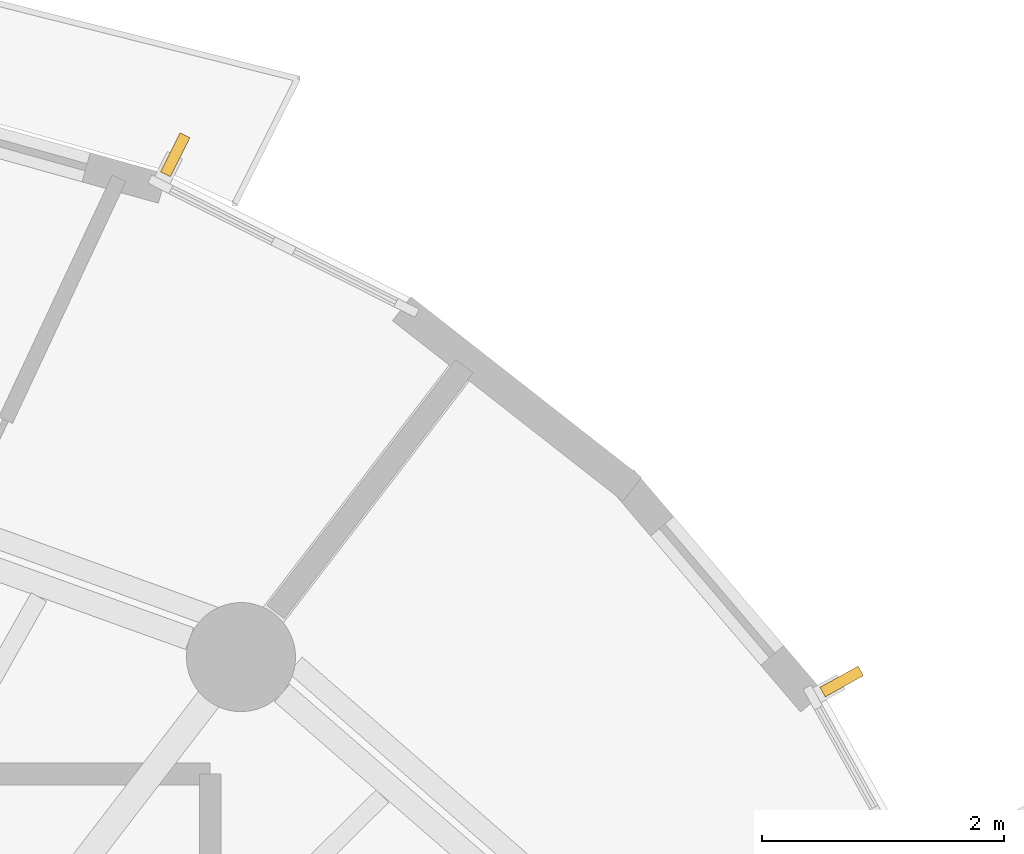
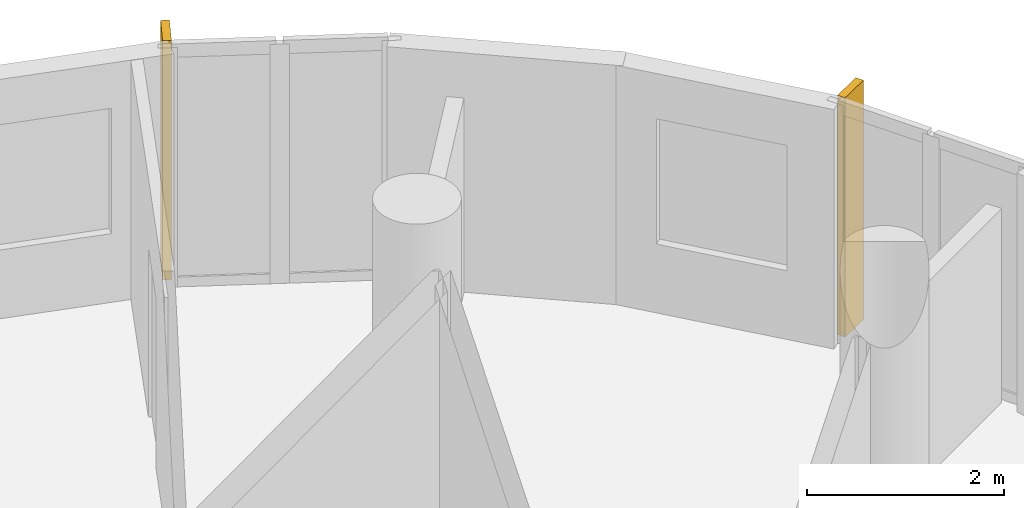
# One storey, part 10 of 10: 2 shading devices.
"""IFC4 building model written with IfcOpenShell, lengths in metres."""

from ifc_helpers import new_model, si_unit, direction, frame, origin, origin_2d, place, context, subcontext, project, spatial, rectangle, extrude, material, layer, layer_set, type_object, element, save


model = new_model("IFC4")

# Units and contexts
model_context = context("Model", 3, precision=1e-05, world=origin(), true_north=direction((0.0, 1.0)))
body_context = subcontext(model_context, "Body", "Model", "MODEL_VIEW")
ifc_project = project(units=[si_unit("LENGTHUNIT", "METRE"), si_unit("AREAUNIT", "SQUARE_METRE"), si_unit("VOLUMEUNIT", "CUBIC_METRE"), si_unit("PLANEANGLEUNIT", "RADIAN"), si_unit("MASSUNIT", "GRAM", prefix="KILO")], contexts=[model_context])

# Site, building, storey
site_placement = place(None, origin())
site = spatial("IfcSite", under=ifc_project, at=site_placement, CompositionType="ELEMENT")
building_placement = place(site_placement, origin())
building = spatial("IfcBuilding", under=site, at=building_placement, Name="Veldorim Arch Residences", CompositionType="ELEMENT")
storey_placement = place(building_placement, frame((0.0, 0.0, 191.840087890625)))
storey = spatial("IfcBuildingStorey", under=building, at=storey_placement, Name="L57", CompositionType="ELEMENT", Elevation=191.840087890625)

# Shading devices
ifc_material = material(Name="Terracotta Ceramic", Category="masonry")
ifc_layer = layer(ifc_material, 0.090087890625, Name="Vertical Extruded Terracotta Baguette Sun-Shading Fin")
ifc_layer_set = layer_set([ifc_layer], Name="Terracotta Ceramic")
shading_device_type = type_object("IfcShadingDeviceType", Name="Vertical Extruded Terracotta Baguette Sun-Shading Fin", PredefinedType="USERDEFINED", material=ifc_layer_set)
for number, where, z_axis, x_axis, name in (
    (1, (38.79150390625, 37.68994140625, 0.0), (0.0, 0.0, 1.0), (0.893606528733, -0.448851168881, 0.0), "L57 vertical terracotta sun-shading fin 02"),
    (2, (44.289794921875, 33.344482421875, 0.0), (0.0, 0.0, 1.0), (0.485877807712, -0.874026747859, 0.0), "L57 vertical terracotta sun-shading fin 35"),
):
    element("IfcShadingDevice", number, at=place(storey_placement, frame(where, z_axis=z_axis, x_axis=x_axis)), inside=storey, type_object=shading_device_type, Name=name, ObjectType="FIN", PredefinedType="USERDEFINED", context=body_context, shape_type="SweptSolid", body=[
        extrude(rectangle(XDim=0.090087890625, YDim=0.360107421875, at=origin_2d()), origin(), (0.0, 0.0, 1.0), 2.9599609375),
    ])

save(model, "model.ifc")
